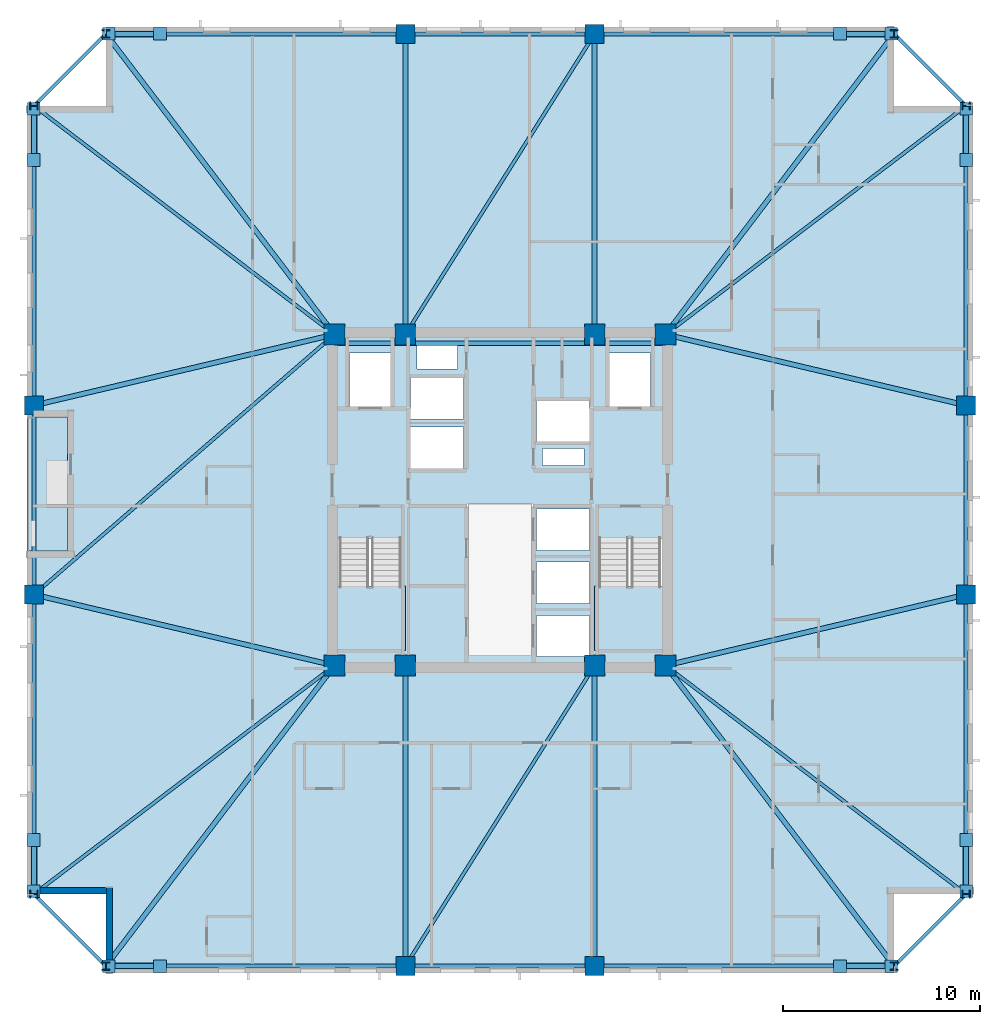
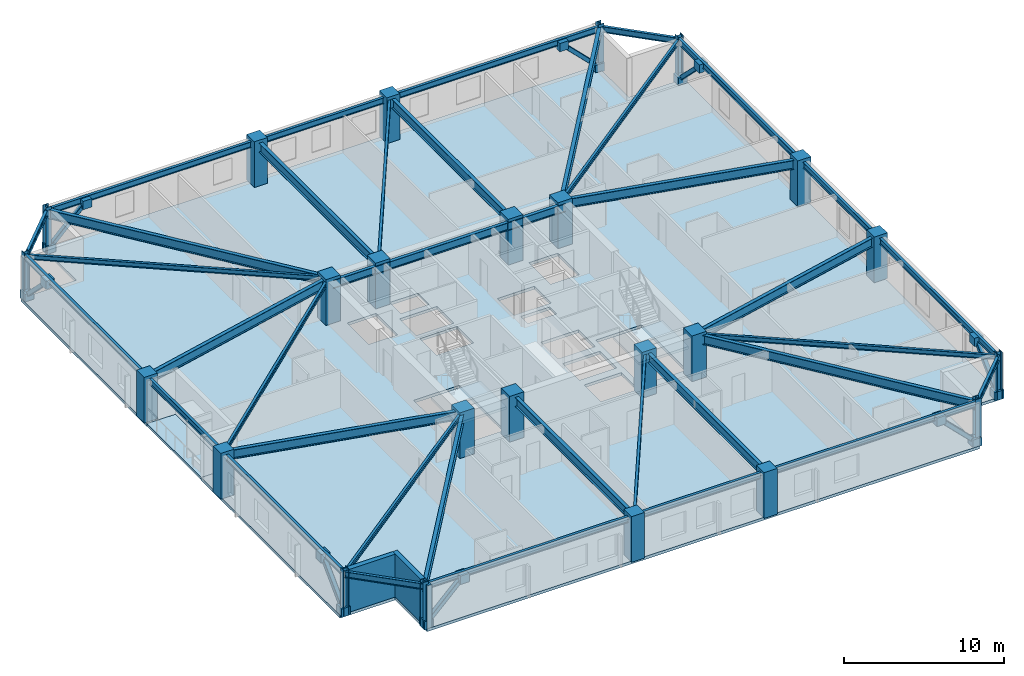
# One storey, part 1 of 11: 38 beams, 24 columns, 16 plates, 8 members, 4 slabs, 2 walls, 2 elements without a shape of their own.
"""IFC4 building model written with IfcOpenShell, lengths in metres."""

from ifc_helpers import new_model, si_unit, direction, frame, frame_2d, origin, origin_2d, place, context, subcontext, project, spatial, polyline, rectangle, hollow_rectangle, i_section, outline, extrude, material, layer, layer_set, material_profile, profile_set, type_object, element, aggregate, save


model = new_model("IFC4")

# Units and contexts
model_context = context("Model", 3, precision=1e-05, world=origin(), true_north=direction((0.0, 1.0)))
body_context = subcontext(model_context, "Body", "Model", "MODEL_VIEW")
ifc_project = project(units=[si_unit("LENGTHUNIT", "METRE"), si_unit("AREAUNIT", "SQUARE_METRE"), si_unit("VOLUMEUNIT", "CUBIC_METRE"), si_unit("PLANEANGLEUNIT", "RADIAN"), si_unit("MASSUNIT", "GRAM", prefix="KILO")], contexts=[model_context])

# Site, building, storey
site_placement = place(None, origin())
site = spatial("IfcSite", under=ifc_project, at=site_placement, CompositionType="ELEMENT")
building_placement = place(site_placement, origin())
building = spatial("IfcBuilding", under=site, at=building_placement, Name="Cairnveth Concourse Tower", CompositionType="ELEMENT")
storey_placement = place(building_placement, frame((0.0, 0.0, 127.0)))
storey = spatial("IfcBuildingStorey", under=building, at=storey_placement, Name="L34", CompositionType="ELEMENT", Elevation=127.0)

# Columns
ifc_material_1 = material(Name="Concrete N65 (65 MPa)", Category="concrete")
ifc_material_profile_1 = material_profile(ifc_material_1, rectangle(XDim=1.050048828125, YDim=1.050048828125, at=origin_2d()), Name="RC-COL-1050x1050")
ifc_profile_set_1 = profile_set([ifc_material_profile_1], Name="Concrete N65 (65 MPa)")
column_type_1 = type_object("IfcColumnType", Name="CORE COLUMN 1050X1050", PredefinedType="COLUMN", material=ifc_profile_set_1)
for number, where, z_axis, x_axis, name in (
    (1, (43.60009765625, 30.60009765625, 0.0), (0.0, 0.0, 1.0), (1.0, 0.0, 0.0), "Column CC1 L34"),
    (2, (47.199951171875, 30.60009765625, 0.0), (0.0, 0.0, 1.0), (1.0, 0.0, 0.0), "Column CC2 L34"),
    (3, (56.800048828125, 30.60009765625, 0.0), (0.0, 0.0, 1.0), (1.0, 0.0, 0.0), "Column CC3 L34"),
    (4, (60.39990234375, 30.60009765625, 0.0), (0.0, 0.0, 1.0), (1.0, 0.0, 0.0), "Column CC4 L34"),
    (5, (43.60009765625, 47.39990234375, 0.0), (0.0, 0.0, 1.0), (1.0, 0.0, 0.0), "Column CC5 L34"),
    (6, (47.199951171875, 47.39990234375, 0.0), (0.0, 0.0, 1.0), (1.0, 0.0, 0.0), "Column CC6 L34"),
    (7, (56.800048828125, 47.39990234375, 0.0), (0.0, 0.0, 1.0), (1.0, 0.0, 0.0), "Column CC7 L34"),
    (8, (60.39990234375, 47.39990234375, 0.0), (0.0, 0.0, 1.0), (1.0, 0.0, 0.0), "Column CC8 L34"),
):
    element("IfcColumn", number, at=place(storey_placement, frame(where, z_axis=z_axis, x_axis=x_axis)), inside=storey, type_object=column_type_1, Name=name, PredefinedType="COLUMN", context=body_context, shape_type="SweptSolid", body=[
        extrude(rectangle(XDim=1.050048828125, YDim=1.050048828125, at=origin_2d()), origin(), (0.0, 0.0, 1.0), 3.5),
    ])
ifc_material_profile_2 = material_profile(ifc_material_1, rectangle(XDim=0.949951171875, YDim=0.949951171875, at=origin_2d()), Name="RC-COL-950x950")
ifc_profile_set_2 = profile_set([ifc_material_profile_2], Name="Concrete N65 (65 MPa)")
column_type_2 = type_object("IfcColumnType", Name="PERIMETER PIER COLUMN 950X950", PredefinedType="COLUMN", material=ifc_profile_set_2)
for number, where, z_axis, x_axis, name in (
    (9, (47.199951171875, 15.35009765625, 0.0), (0.0, 0.0, 1.0), (1.0, 0.0, 0.0), "Column P-S2 L34"),
    (10, (56.800048828125, 15.35009765625, 0.0), (0.0, 0.0, 1.0), (1.0, 0.0, 0.0), "Column P-S3 L34"),
    (11, (75.64990234375, 34.199951171875, 0.0), (0.0, 0.0, 1.0), (0.0, 1.0, 0.0), "Column P-E2 L34"),
    (12, (75.64990234375, 43.800048828125, 0.0), (0.0, 0.0, 1.0), (0.0, 1.0, 0.0), "Column P-E3 L34"),
    (13, (56.800048828125, 62.64990234375, 0.0), (0.0, 0.0, 1.0), (1.0, 0.0, 0.0), "Column P-N2 L34"),
    (14, (47.199951171875, 62.64990234375, 0.0), (0.0, 0.0, 1.0), (1.0, 0.0, 0.0), "Column P-N3 L34"),
    (15, (28.35009765625, 43.800048828125, 0.0), (0.0, 0.0, 1.0), (0.0, 1.0, 0.0), "Column P-W2 L34"),
    (16, (28.35009765625, 34.199951171875, 0.0), (0.0, 0.0, 1.0), (0.0, 1.0, 0.0), "Column P-W3 L34"),
):
    element("IfcColumn", number, at=place(storey_placement, frame(where, z_axis=z_axis, x_axis=x_axis)), inside=storey, type_object=column_type_2, Name=name, PredefinedType="COLUMN", context=body_context, shape_type="SweptSolid", body=[
        extrude(rectangle(XDim=0.949951171875, YDim=0.949951171875, at=origin_2d()), origin(), (0.0, 0.0, 1.0), 3.5),
    ])
ifc_material_2 = material(Name="Steel Grade 350", Category="steel")
ifc_material_profile_3 = material_profile(ifc_material_2, i_section(OverallWidth=0.39990234375, OverallDepth=0.39990234375, WebThickness=0.02197265625, FlangeThickness=0.035888671875, at=origin_2d()), Name="400WC270")
ifc_profile_set_3 = profile_set([ifc_material_profile_3], Name="Steel Grade 350")
column_type_3 = type_object("IfcColumnType", Name="WELDED STEEL COLUMN 400WC270", PredefinedType="COLUMN", material=ifc_profile_set_3)
for number, where, z_axis, x_axis, name in (
    (17, (32.0, 15.35009765625, 0.0), (0.0, 0.0, 1.0), (1.0, 0.0, 0.0), "Column P-S1 L34"),
    (18, (72.0, 15.35009765625, 0.0), (0.0, 0.0, 1.0), (1.0, 0.0, 0.0), "Column P-S4 L34"),
    (19, (75.64990234375, 19.0, 0.0), (0.0, 0.0, 1.0), (0.0, 1.0, 0.0), "Column P-E1 L34"),
    (20, (75.64990234375, 59.0, 0.0), (0.0, 0.0, 1.0), (0.0, 1.0, 0.0), "Column P-E4 L34"),
    (21, (72.0, 62.64990234375, 0.0), (0.0, 0.0, 1.0), (1.0, 0.0, 0.0), "Column P-N1 L34"),
    (22, (32.0, 62.64990234375, 0.0), (0.0, 0.0, 1.0), (1.0, 0.0, 0.0), "Column P-N4 L34"),
    (23, (28.35009765625, 59.0, 0.0), (0.0, 0.0, 1.0), (0.0, 1.0, 0.0), "Column P-W1 L34"),
    (24, (28.35009765625, 19.0, 0.0), (0.0, 0.0, 1.0), (0.0, 1.0, 0.0), "Column P-W4 L34"),
):
    element("IfcColumn", number, at=place(storey_placement, frame(where, z_axis=z_axis, x_axis=x_axis)), inside=storey, type_object=column_type_3, Name=name, PredefinedType="COLUMN", context=body_context, shape_type="SweptSolid", body=[
        extrude(i_section(OverallWidth=0.39990234375, OverallDepth=0.39990234375, WebThickness=0.02197265625, FlangeThickness=0.035888671875, at=origin_2d()), origin(), (0.0, 0.0, 1.0), 3.5),
    ])

# Beams
ifc_material_profile_4 = material_profile(ifc_material_2, i_section(OverallWidth=0.22802734375, OverallDepth=0.60693359375, WebThickness=0.01123046875, FlangeThickness=0.017333984375, FilletRadius=0.013916015625, at=origin_2d()), Name="610UB113")
ifc_profile_set_4 = profile_set([ifc_material_profile_4], Name="Steel Grade 350")
beam_type_1 = type_object("IfcBeamType", Name="CORE TIE BEAM 610UB113", PredefinedType="T_BEAM", material=ifc_profile_set_4)
for number, where, z_axis, x_axis, name in (
    (25, (43.60009765625, 46.949951171875, 2.9765625), (1.0, 0.0, 0.0), (0.0, 1.0, 0.0), "Beam CT-N1 L34"),
    (26, (56.800048828125, 46.949951171875, 2.9765625), (1.0, 0.0, 0.0), (0.0, 1.0, 0.0), "Beam CT-N3 L34"),
):
    element("IfcBeam", number, at=place(storey_placement, frame(where, z_axis=z_axis, x_axis=x_axis)), inside=storey, type_object=beam_type_1, Name=name, PredefinedType="T_BEAM", context=body_context, shape_type="SweptSolid", body=[
        extrude(i_section(OverallWidth=0.22802734375, OverallDepth=0.60693359375, WebThickness=0.01123046875, FlangeThickness=0.017333984375, FilletRadius=0.013916015625, at=origin_2d()), origin(), (0.0, 0.0, 1.0), 3.599853515625),
    ])
beam_1_placement = place(storey_placement, frame((47.199951171875, 46.949951171875, 2.9765625), z_axis=(1.0, 0.0, 0.0), x_axis=(0.0, 1.0, 0.0)))
element("IfcBeam", 27, at=beam_1_placement, inside=storey, type_object=beam_type_1, Name="Beam CT-N2 L34", PredefinedType="T_BEAM", context=body_context, shape_type="SweptSolid", body=[
    extrude(i_section(OverallWidth=0.22802734375, OverallDepth=0.60693359375, WebThickness=0.01123046875, FlangeThickness=0.017333984375, FilletRadius=0.013916015625, at=origin_2d()), origin(), (0.0, 0.0, 1.0), 9.60009765625),
])
ifc_material_profile_5 = material_profile(ifc_material_2, i_section(OverallWidth=0.172119140625, OverallDepth=0.35888671875, WebThickness=0.008056640625, FlangeThickness=0.012939453125, FilletRadius=0.010986328125, at=origin_2d()), Name="360UB56.7")
ifc_profile_set_5 = profile_set([ifc_material_profile_5], Name="Steel Grade 350")
beam_type_2 = type_object("IfcBeamType", Name="ZONE 2 FLOOR JOIST 360UB56.7", PredefinedType="JOIST", material=ifc_profile_set_5)
for number, where, z_axis, x_axis, name in (
    (28, (28.35009765625, 19.0, 3.1005859375), (0.795908242904, 0.6054172684, 0.0), (-0.6054172684, 0.795908242904, 0.0), "Beam FJ-CSW2 L34"),
    (29, (75.64990234375, 19.0, 3.1005859375), (-0.795908242904, 0.6054172684, 0.0), (-0.6054172684, -0.795908242904, 0.0), "Beam FJ-CSE2 L34"),
    (30, (75.64990234375, 59.0, 3.1005859375), (-0.795908242904, -0.6054172684, 0.0), (0.6054172684, -0.795908242904, 0.0), "Beam FJ-CNE2 L34"),
    (31, (28.35009765625, 59.0, 3.1005859375), (0.795908242904, -0.6054172684, 0.0), (0.6054172684, 0.795908242904, 0.0), "Beam FJ-CNW2 L34"),
):
    element("IfcBeam", number, at=place(storey_placement, frame(where, z_axis=z_axis, x_axis=x_axis)), inside=storey, type_object=beam_type_2, Name=name, PredefinedType="JOIST", context=body_context, shape_type="SweptSolid", body=[
        extrude(i_section(OverallWidth=0.172119140625, OverallDepth=0.35888671875, WebThickness=0.008056640625, FlangeThickness=0.012939453125, FilletRadius=0.010986328125, at=origin_2d()), origin(), (0.0, 0.0, 1.0), 19.160400390625),
    ])
for number, where, z_axis, x_axis, name in (
    (32, (47.199951171875, 15.35009765625, 3.1005859375), (0.532743557037, 0.84627672923, 0.0), (-0.84627672923, 0.532743557037, 0.0), "Beam FJ-S-M1 L34"),
    (33, (47.199951171875, 47.39990234375, 3.1005859375), (0.532743557037, 0.84627672923, 0.0), (-0.84627672923, 0.532743557037, 0.0), "Beam FJ-N-M1 L34"),
):
    element("IfcBeam", number, at=place(storey_placement, frame(where, z_axis=z_axis, x_axis=x_axis)), inside=storey, type_object=beam_type_2, Name=name, PredefinedType="JOIST", context=body_context, shape_type="SweptSolid", body=[
        extrude(i_section(OverallWidth=0.172119140625, OverallDepth=0.35888671875, WebThickness=0.008056640625, FlangeThickness=0.012939453125, FilletRadius=0.010986328125, at=origin_2d()), origin(), (0.0, 0.0, 1.0), 18.02001953125),
    ])
beam_2_placement = place(storey_placement, frame((28.35009765625, 34.199951171875, 3.1005859375), z_axis=(0.756099107057, 0.654457134049, 0.0), x_axis=(-0.654457134049, 0.756099107057, 0.0)))
element("IfcBeam", 34, at=beam_2_placement, inside=storey, type_object=beam_type_2, Name="Beam FJ-W-M1 L34", PredefinedType="JOIST", context=body_context, shape_type="SweptSolid", body=[
    extrude(i_section(OverallWidth=0.172119140625, OverallDepth=0.35888671875, WebThickness=0.008056640625, FlangeThickness=0.012939453125, FilletRadius=0.010986328125, at=origin_2d()), origin(), (0.0, 0.0, 1.0), 20.16943359375),
])

# Members
ifc_material_3 = material(Name="Steel C350L0 (350 MPa)", Category="steel")
ifc_material_profile_6 = material_profile(ifc_material_3, hollow_rectangle(XDim=0.300048828125, YDim=0.300048828125, WallThickness=0.01611328125, InnerFilletRadius=0.01611328125, OuterFilletRadius=0.031982421875, at=origin_2d()), Name="300x300x16.0SHS")
ifc_profile_set_6 = profile_set([ifc_material_profile_6], Name="Steel C350L0 (350 MPa)")
member_type = type_object("IfcMemberType", Name="ZONE 2 PIER BRACE 300X300X16SHS", PredefinedType="BRACE", material=ifc_profile_set_6)
for number, where, z_axis, x_axis, name in (
    (35, (32.14990234375, 15.35009765625, 0.25), (0.709834195787, 0.0, 0.704368805735), (0.0, 1.0, 0.0), "Structural Brace PB-S1 L34"),
    (36, (71.85009765625, 15.35009765625, 0.25), (-0.709834195787, 0.0, 0.704368805735), (0.0, -1.0, 0.0), "Structural Brace PB-S2 L34"),
    (37, (32.14990234375, 62.64990234375, 0.25), (0.709834195787, 0.0, 0.704368805735), (0.0, 1.0, 0.0), "Structural Brace PB-N1 L34"),
    (38, (71.85009765625, 62.64990234375, 0.25), (-0.709834195787, 0.0, 0.704368805735), (0.0, -1.0, 0.0), "Structural Brace PB-N2 L34"),
    (39, (28.35009765625, 19.14990234375, 0.25), (0.0, 0.709834195787, 0.704368805735), (-1.0, 0.0, 0.0), "Structural Brace PB-W1 L34"),
    (40, (28.35009765625, 58.85009765625, 0.25), (0.0, -0.709834195787, 0.704368805735), (1.0, 0.0, 0.0), "Structural Brace PB-W2 L34"),
    (41, (75.64990234375, 19.14990234375, 0.25), (0.0, 0.709834195787, 0.704368805735), (-1.0, 0.0, 0.0), "Structural Brace PB-E1 L34"),
    (42, (75.64990234375, 58.85009765625, 0.25), (0.0, -0.709834195787, 0.704368805735), (1.0, 0.0, 0.0), "Structural Brace PB-E2 L34"),
):
    element("IfcMember", number, at=place(storey_placement, frame(where, z_axis=z_axis, x_axis=x_axis)), inside=storey, type_object=member_type, Name=name, PredefinedType="BRACE", context=body_context, shape_type="SweptSolid", body=[
        extrude(hollow_rectangle(XDim=0.300048828125, YDim=0.300048828125, WallThickness=0.01611328125, InnerFilletRadius=0.01611328125, OuterFilletRadius=0.031982421875, at=origin_2d()), origin(), (0.0, 0.0, 1.0), 3.6630859375),
    ])

# Beams
ifc_material_profile_7 = material_profile(ifc_material_2, i_section(OverallWidth=0.25, OverallDepth=0.699951171875, WebThickness=0.011962890625, FlangeThickness=0.028076171875, at=origin_2d()), Name="700WB173")
ifc_profile_set_7 = profile_set([ifc_material_profile_7], Name="Steel Grade 350")
beam_type_3 = type_object("IfcBeamType", Name="ZONE 2 RADIAL GIRDER 700WB173", PredefinedType="BEAM", material=ifc_profile_set_7)
for number, where, z_axis, x_axis, name in (
    (43, (47.199951171875, 15.35009765625, 2.929931640625), (0.0, 1.0, 0.0), (-1.0, 0.0, 0.0), "Beam RG-S1 L34"),
    (44, (56.800048828125, 15.35009765625, 2.929931640625), (0.0, 1.0, 0.0), (-1.0, 0.0, 0.0), "Beam RG-S2 L34"),
    (45, (47.199951171875, 47.39990234375, 2.929931640625), (0.0, 1.0, 0.0), (-1.0, 0.0, 0.0), "Beam RG-N1 L34"),
    (46, (56.800048828125, 47.39990234375, 2.929931640625), (0.0, 1.0, 0.0), (-1.0, 0.0, 0.0), "Beam RG-N2 L34"),
):
    element("IfcBeam", number, at=place(storey_placement, frame(where, z_axis=z_axis, x_axis=x_axis)), inside=storey, type_object=beam_type_3, Name=name, PredefinedType="BEAM", context=body_context, shape_type="SweptSolid", body=[
        extrude(i_section(OverallWidth=0.25, OverallDepth=0.699951171875, WebThickness=0.011962890625, FlangeThickness=0.028076171875, at=origin_2d()), origin(), (0.0, 0.0, 1.0), 15.25),
    ])
for number, where, z_axis, x_axis, name in (
    (47, (28.35009765625, 34.199951171875, 2.929931640625), (0.973251602929, -0.229741849468, 0.0), (0.229741849468, 0.973251602929, 0.0), "Beam RG-W1 L34"),
    (48, (28.35009765625, 43.800048828125, 2.929931640625), (0.973251602929, 0.229741849468, 0.0), (-0.229741849468, 0.973251602929, 0.0), "Beam RG-W2 L34"),
    (49, (60.39990234375, 30.60009765625, 2.929931640625), (0.973251602929, 0.229741849468, 0.0), (-0.229741849468, 0.973251602929, 0.0), "Beam RG-E1 L34"),
    (50, (60.39990234375, 47.39990234375, 2.929931640625), (0.973251602929, -0.229741849468, 0.0), (0.229741849468, 0.973251602929, 0.0), "Beam RG-E2 L34"),
):
    element("IfcBeam", number, at=place(storey_placement, frame(where, z_axis=z_axis, x_axis=x_axis)), inside=storey, type_object=beam_type_3, Name=name, PredefinedType="BEAM", context=body_context, shape_type="SweptSolid", body=[
        extrude(i_section(OverallWidth=0.25, OverallDepth=0.699951171875, WebThickness=0.011962890625, FlangeThickness=0.028076171875, at=origin_2d()), origin(), (0.0, 0.0, 1.0), 15.669189453125),
    ])
for number, where, z_axis, x_axis, name in (
    (51, (32.0, 15.35009765625, 2.929931640625), (0.6054172684, 0.795908242904, 0.0), (-0.795908242904, 0.6054172684, 0.0), "Beam RG-CSW L34"),
    (52, (72.0, 15.35009765625, 2.929931640625), (-0.6054172684, 0.795908242904, 0.0), (-0.795908242904, -0.6054172684, 0.0), "Beam RG-CSE L34"),
    (53, (72.0, 62.64990234375, 2.929931640625), (-0.6054172684, -0.795908242904, 0.0), (0.795908242904, -0.6054172684, 0.0), "Beam RG-CNE L34"),
    (54, (32.0, 62.64990234375, 2.929931640625), (0.6054172684, -0.795908242904, 0.0), (0.795908242904, 0.6054172684, 0.0), "Beam RG-CNW L34"),
):
    element("IfcBeam", number, at=place(storey_placement, frame(where, z_axis=z_axis, x_axis=x_axis)), inside=storey, type_object=beam_type_3, Name=name, PredefinedType="BEAM", context=body_context, shape_type="SweptSolid", body=[
        extrude(i_section(OverallWidth=0.25, OverallDepth=0.699951171875, WebThickness=0.011962890625, FlangeThickness=0.028076171875, at=origin_2d()), origin(), (0.0, 0.0, 1.0), 19.160400390625),
    ])
ifc_material_profile_8 = material_profile(ifc_material_2, i_section(OverallWidth=0.18994140625, OverallDepth=0.45703125, WebThickness=0.009033203125, FlangeThickness=0.014404296875, FilletRadius=0.010986328125, at=origin_2d()), Name="460UB74.6")
ifc_profile_set_8 = profile_set([ifc_material_profile_8], Name="Steel Grade 350")
beam_type_4 = type_object("IfcBeamType", Name="ZONE 2 SPANDREL BEAM 460UB74.6", PredefinedType="SPANDREL", material=ifc_profile_set_8)
beam_3_placement = place(storey_placement, frame((32.0, 15.35009765625, 3.051513671875), z_axis=(1.0, 0.0, 0.0), x_axis=(0.0, 1.0, 0.0)))
element("IfcBeam", 55, at=beam_3_placement, inside=storey, type_object=beam_type_4, Name="Beam SP-S1 L34", PredefinedType="SPANDREL", context=body_context, shape_type="SweptSolid", body=[
    extrude(i_section(OverallWidth=0.18994140625, OverallDepth=0.45703125, WebThickness=0.009033203125, FlangeThickness=0.014404296875, FilletRadius=0.010986328125, at=origin_2d()), origin(), (0.0, 0.0, 1.0), 15.199951171875),
])
beam_4_placement = place(storey_placement, frame((47.199951171875, 15.35009765625, 3.051513671875), z_axis=(1.0, 0.0, 0.0), x_axis=(0.0, 1.0, 0.0)))
element("IfcBeam", 56, at=beam_4_placement, inside=storey, type_object=beam_type_4, Name="Beam SP-S2 L34", PredefinedType="SPANDREL", context=body_context, shape_type="SweptSolid", body=[
    extrude(i_section(OverallWidth=0.18994140625, OverallDepth=0.45703125, WebThickness=0.009033203125, FlangeThickness=0.014404296875, FilletRadius=0.010986328125, at=origin_2d()), origin(), (0.0, 0.0, 1.0), 9.60009765625),
])
for number, where, z_axis, x_axis, name in (
    (57, (56.800048828125, 15.35009765625, 3.051513671875), (1.0, 0.0, 0.0), (0.0, 1.0, 0.0), "Beam SP-S3 L34"),
    (58, (32.0, 62.64990234375, 3.051513671875), (1.0, 0.0, 0.0), (0.0, 1.0, 0.0), "Beam SP-N1 L34"),
):
    element("IfcBeam", number, at=place(storey_placement, frame(where, z_axis=z_axis, x_axis=x_axis)), inside=storey, type_object=beam_type_4, Name=name, PredefinedType="SPANDREL", context=body_context, shape_type="SweptSolid", body=[
        extrude(i_section(OverallWidth=0.18994140625, OverallDepth=0.45703125, WebThickness=0.009033203125, FlangeThickness=0.014404296875, FilletRadius=0.010986328125, at=origin_2d()), origin(), (0.0, 0.0, 1.0), 15.199951171875),
    ])
beam_5_placement = place(storey_placement, frame((47.199951171875, 62.64990234375, 3.051513671875), z_axis=(1.0, 0.0, 0.0), x_axis=(0.0, 1.0, 0.0)))
element("IfcBeam", 59, at=beam_5_placement, inside=storey, type_object=beam_type_4, Name="Beam SP-N2 L34", PredefinedType="SPANDREL", context=body_context, shape_type="SweptSolid", body=[
    extrude(i_section(OverallWidth=0.18994140625, OverallDepth=0.45703125, WebThickness=0.009033203125, FlangeThickness=0.014404296875, FilletRadius=0.010986328125, at=origin_2d()), origin(), (0.0, 0.0, 1.0), 9.60009765625),
])
for number, where, z_axis, x_axis, name in (
    (60, (56.800048828125, 62.64990234375, 3.051513671875), (1.0, 0.0, 0.0), (0.0, 1.0, 0.0), "Beam SP-N3 L34"),
    (61, (28.35009765625, 19.0, 3.051513671875), (0.0, 1.0, 0.0), (-1.0, 0.0, 0.0), "Beam SP-W1 L34"),
):
    element("IfcBeam", number, at=place(storey_placement, frame(where, z_axis=z_axis, x_axis=x_axis)), inside=storey, type_object=beam_type_4, Name=name, PredefinedType="SPANDREL", context=body_context, shape_type="SweptSolid", body=[
        extrude(i_section(OverallWidth=0.18994140625, OverallDepth=0.45703125, WebThickness=0.009033203125, FlangeThickness=0.014404296875, FilletRadius=0.010986328125, at=origin_2d()), origin(), (0.0, 0.0, 1.0), 15.199951171875),
    ])
beam_6_placement = place(storey_placement, frame((28.35009765625, 34.199951171875, 3.051513671875), z_axis=(0.0, 1.0, 0.0), x_axis=(-1.0, 0.0, 0.0)))
element("IfcBeam", 62, at=beam_6_placement, inside=storey, type_object=beam_type_4, Name="Beam SP-W2 L34", PredefinedType="SPANDREL", context=body_context, shape_type="SweptSolid", body=[
    extrude(i_section(OverallWidth=0.18994140625, OverallDepth=0.45703125, WebThickness=0.009033203125, FlangeThickness=0.014404296875, FilletRadius=0.010986328125, at=origin_2d()), origin(), (0.0, 0.0, 1.0), 9.60009765625),
])
for number, where, z_axis, x_axis, name in (
    (63, (28.35009765625, 43.800048828125, 3.051513671875), (0.0, 1.0, 0.0), (-1.0, 0.0, 0.0), "Beam SP-W3 L34"),
    (64, (75.64990234375, 19.0, 3.051513671875), (0.0, 1.0, 0.0), (-1.0, 0.0, 0.0), "Beam SP-E1 L34"),
):
    element("IfcBeam", number, at=place(storey_placement, frame(where, z_axis=z_axis, x_axis=x_axis)), inside=storey, type_object=beam_type_4, Name=name, PredefinedType="SPANDREL", context=body_context, shape_type="SweptSolid", body=[
        extrude(i_section(OverallWidth=0.18994140625, OverallDepth=0.45703125, WebThickness=0.009033203125, FlangeThickness=0.014404296875, FilletRadius=0.010986328125, at=origin_2d()), origin(), (0.0, 0.0, 1.0), 15.199951171875),
    ])
beam_7_placement = place(storey_placement, frame((75.64990234375, 34.199951171875, 3.051513671875), z_axis=(0.0, 1.0, 0.0), x_axis=(-1.0, 0.0, 0.0)))
element("IfcBeam", 65, at=beam_7_placement, inside=storey, type_object=beam_type_4, Name="Beam SP-E2 L34", PredefinedType="SPANDREL", context=body_context, shape_type="SweptSolid", body=[
    extrude(i_section(OverallWidth=0.18994140625, OverallDepth=0.45703125, WebThickness=0.009033203125, FlangeThickness=0.014404296875, FilletRadius=0.010986328125, at=origin_2d()), origin(), (0.0, 0.0, 1.0), 9.60009765625),
])
beam_8_placement = place(storey_placement, frame((75.64990234375, 43.800048828125, 3.051513671875), z_axis=(0.0, 1.0, 0.0), x_axis=(-1.0, 0.0, 0.0)))
element("IfcBeam", 66, at=beam_8_placement, inside=storey, type_object=beam_type_4, Name="Beam SP-E3 L34", PredefinedType="SPANDREL", context=body_context, shape_type="SweptSolid", body=[
    extrude(i_section(OverallWidth=0.18994140625, OverallDepth=0.45703125, WebThickness=0.009033203125, FlangeThickness=0.014404296875, FilletRadius=0.010986328125, at=origin_2d()), origin(), (0.0, 0.0, 1.0), 15.199951171875),
])
for number, where, z_axis, x_axis, name in (
    (67, (28.35009765625, 19.0, 3.051513671875), (0.707106781187, -0.707106781187, 0.0), (0.707106781187, 0.707106781187, 0.0), "Beam SP-SW L34"),
    (68, (72.0, 15.35009765625, 3.051513671875), (0.707106781187, 0.707106781187, 0.0), (-0.707106781187, 0.707106781187, 0.0), "Beam SP-SE L34"),
    (69, (72.0, 62.64990234375, 3.051513671875), (0.707106781187, -0.707106781187, 0.0), (0.707106781187, 0.707106781187, 0.0), "Beam SP-NE L34"),
    (70, (28.35009765625, 59.0, 3.051513671875), (0.707106781187, 0.707106781187, 0.0), (-0.707106781187, 0.707106781187, 0.0), "Beam SP-NW L34"),
):
    element("IfcBeam", number, at=place(storey_placement, frame(where, z_axis=z_axis, x_axis=x_axis)), inside=storey, type_object=beam_type_4, Name=name, PredefinedType="SPANDREL", context=body_context, shape_type="SweptSolid", body=[
        extrude(i_section(OverallWidth=0.18994140625, OverallDepth=0.45703125, WebThickness=0.009033203125, FlangeThickness=0.014404296875, FilletRadius=0.010986328125, at=origin_2d()), origin(), (0.0, 0.0, 1.0), 5.16162109375),
    ])

# Slab
ifc_material_4 = material(Name="Concrete N50 (50 MPa)", Category="concrete")
ifc_layer_1 = layer(ifc_material_4, 0.219970703125)
ifc_layer_set_1 = layer_set([ifc_layer_1], Name="Concrete N50 (50 MPa)")
slab_type_1 = type_object("IfcSlabType", Name="LOWER TOWER COMPOSITE SLAB 220", PredefinedType="FLOOR", material=ifc_layer_set_1)
slab_1_placement = place(storey_placement, frame((0.0, 0.0, -0.219970703125)))
element("IfcSlab", 71, at=slab_1_placement, inside=storey, type_object=slab_type_1, Name="Tower Floor Slab L34", PredefinedType="FLOOR", context=body_context, shape_type="SweptSolid", body=[
    extrude(outline(polyline([(28.0, 43.199951171875), (30.050048828125, 43.199951171875), (30.050048828125, 36.39990234375), (28.0, 36.39990234375), (28.0, 19.0), (32.0, 19.0), (32.0, 15.0), (72.0, 15.0), (72.0, 19.0), (76.0, 19.0), (76.0, 59.0), (72.0, 59.0), (72.0, 63.0), (32.0, 63.0), (32.0, 59.0), (28.0, 59.0), (28.0, 43.199951171875)]), holes=[polyline([(43.760009765625, 31.360107421875), (47.06005859375, 31.360107421875), (47.06005859375, 37.0400390625), (43.760009765625, 37.0400390625), (43.760009765625, 31.360107421875)]), polyline([(56.93994140625, 31.360107421875), (60.239990234375, 31.360107421875), (60.239990234375, 37.0400390625), (56.93994140625, 37.0400390625), (56.93994140625, 31.360107421875)]), polyline([(44.3701171875, 43.75), (46.469970703125, 43.75), (46.469970703125, 46.449951171875), (44.3701171875, 46.449951171875), (44.3701171875, 43.75)]), polyline([(57.530029296875, 43.75), (59.6298828125, 43.75), (59.6298828125, 46.449951171875), (57.530029296875, 46.449951171875), (57.530029296875, 43.75)]), polyline([(53.85009765625, 31.050048828125), (56.550048828125, 31.050048828125), (56.550048828125, 33.14990234375), (53.85009765625, 33.14990234375), (53.85009765625, 31.050048828125)]), polyline([(53.85009765625, 33.75), (56.550048828125, 33.75), (56.550048828125, 35.85009765625), (53.85009765625, 35.85009765625), (53.85009765625, 33.75)]), polyline([(53.85009765625, 36.449951171875), (56.550048828125, 36.449951171875), (56.550048828125, 38.550048828125), (53.85009765625, 38.550048828125), (53.85009765625, 36.449951171875)]), polyline([(47.449951171875, 40.60009765625), (50.14990234375, 40.60009765625), (50.14990234375, 42.699951171875), (47.449951171875, 42.699951171875), (47.449951171875, 40.60009765625)]), polyline([(47.449951171875, 43.10009765625), (50.14990234375, 43.10009765625), (50.14990234375, 45.199951171875), (47.449951171875, 45.199951171875), (47.449951171875, 43.10009765625)]), polyline([(53.85009765625, 41.949951171875), (56.550048828125, 41.949951171875), (56.550048828125, 44.050048828125), (53.85009765625, 44.050048828125), (53.85009765625, 41.949951171875)]), polyline([(47.800048828125, 45.64990234375), (49.85009765625, 45.64990234375), (49.85009765625, 47.050048828125), (47.800048828125, 47.050048828125), (47.800048828125, 45.64990234375)]), polyline([(54.14990234375, 40.75), (56.25, 40.75), (56.25, 41.6201171875), (54.14990234375, 41.6201171875), (54.14990234375, 40.75)])]), origin(), (0.0, 0.0, 1.0), 0.219970703125),
])

# Plates
ifc_layer_2 = layer(ifc_material_2, 0.031982421875)
ifc_layer_set_2 = layer_set([ifc_layer_2], Name="Steel Grade 350")
plate_type = type_object("IfcPlateType", Name="PERIMETER BRACE GUSSET PLATE 32", PredefinedType="USERDEFINED", material=ifc_layer_set_2)
for number, where, z_axis, x_axis, name in (
    (72, (32.14990234375, 15.35009765625, -0.06982421875), (0.0, 0.0, 1.0), (1.0, 0.0, 0.0), "Structural Node Plate 0577 L34"),
    (73, (34.75, 15.35009765625, 2.51025390625), (0.0, 0.0, 1.0), (1.0, 0.0, 0.0), "Structural Node Plate 0578 L34"),
    (74, (71.85009765625, 15.35009765625, -0.06982421875), (0.0, 0.0, 1.0), (1.0, 0.0, 0.0), "Structural Node Plate 0579 L34"),
    (75, (69.25, 15.35009765625, 2.51025390625), (0.0, 0.0, 1.0), (1.0, 0.0, 0.0), "Structural Node Plate 0580 L34"),
    (76, (32.14990234375, 62.64990234375, -0.06982421875), (0.0, 0.0, 1.0), (1.0, 0.0, 0.0), "Structural Node Plate 0581 L34"),
    (77, (34.75, 62.64990234375, 2.51025390625), (0.0, 0.0, 1.0), (1.0, 0.0, 0.0), "Structural Node Plate 0582 L34"),
    (78, (71.85009765625, 62.64990234375, -0.06982421875), (0.0, 0.0, 1.0), (1.0, 0.0, 0.0), "Structural Node Plate 0583 L34"),
    (79, (69.25, 62.64990234375, 2.51025390625), (0.0, 0.0, 1.0), (1.0, 0.0, 0.0), "Structural Node Plate 0584 L34"),
    (80, (28.35009765625, 19.14990234375, -0.06982421875), (0.0, 0.0, 1.0), (1.0, 0.0, 0.0), "Structural Node Plate 0585 L34"),
    (81, (28.35009765625, 21.75, 2.51025390625), (0.0, 0.0, 1.0), (1.0, 0.0, 0.0), "Structural Node Plate 0586 L34"),
    (82, (28.35009765625, 58.85009765625, -0.06982421875), (0.0, 0.0, 1.0), (1.0, 0.0, 0.0), "Structural Node Plate 0587 L34"),
    (83, (28.35009765625, 56.25, 2.51025390625), (0.0, 0.0, 1.0), (1.0, 0.0, 0.0), "Structural Node Plate 0588 L34"),
    (84, (75.64990234375, 19.14990234375, -0.06982421875), (0.0, 0.0, 1.0), (1.0, 0.0, 0.0), "Structural Node Plate 0589 L34"),
    (85, (75.64990234375, 21.75, 2.51025390625), (0.0, 0.0, 1.0), (1.0, 0.0, 0.0), "Structural Node Plate 0590 L34"),
    (86, (75.64990234375, 58.85009765625, -0.06982421875), (0.0, 0.0, 1.0), (1.0, 0.0, 0.0), "Structural Node Plate 0591 L34"),
    (87, (75.64990234375, 56.25, 2.51025390625), (0.0, 0.0, 1.0), (1.0, 0.0, 0.0), "Structural Node Plate 0592 L34"),
):
    element("IfcPlate", number, at=place(storey_placement, frame(where, z_axis=z_axis, x_axis=x_axis)), inside=storey, type_object=plate_type, Name=name, ObjectType="GUSSET PLATE", PredefinedType="USERDEFINED", context=body_context, shape_type="SweptSolid", body=[
        extrude(rectangle(XDim=0.639892578125, YDim=0.639892578125, at=origin_2d()), origin(), (0.0, 0.0, 1.0), 0.639892578125),
    ])

# Slab
ifc_layer_3 = layer(ifc_material_4, 0.18994140625)
ifc_layer_set_3 = layer_set([ifc_layer_3], Name="Concrete N50 (50 MPa)")
slab_type_2 = type_object("IfcSlabType", Name="SPIRAL OUTDOOR TERRACE SLAB 190", PredefinedType="FLOOR", material=ifc_layer_set_3)
slab_2_placement = place(storey_placement, frame((0.0, 0.0, -0.18994140625)))
element("IfcSlab", 88, at=slab_2_placement, inside=storey, type_object=slab_type_2, Name="Spiral Terrace Slab L34", PredefinedType="FLOOR", context=body_context, shape_type="SweptSolid", body=[
    extrude(outline(polyline([(28.0, 36.39990234375), (30.050048828125, 36.39990234375), (30.050048828125, 43.199951171875), (28.0, 43.199951171875), (28.0, 36.39990234375)])), origin(), (0.0, 0.0, 1.0), 0.18994140625),
])

# Stair, slab
ifc_material_5 = material(Name="Precast concrete N50 (50 MPa)", Category="concrete")
stair_type = type_object("IfcStairType", Name="CORE DOG-LEG FIRE STAIR 1500", PredefinedType="HALF_TURN_STAIR", material=ifc_material_5)
stair_1_placement = place(storey_placement, origin())
stair_1 = element("IfcStair", 89, at=stair_1_placement, inside=storey, type_object=stair_type, Name="L34 Fire-Isolated Stair ST-1", PredefinedType="HALF_TURN_STAIR")
ifc_layer_4 = layer(ifc_material_4, 0.199951171875)
ifc_layer_set_4 = layer_set([ifc_layer_4], Name="Concrete N50 (50 MPa)")
slab_type_3 = type_object("IfcSlabType", Name="STAIR HALF LANDING SLAB 200", PredefinedType="LANDING", material=ifc_layer_set_4)
slab_3_placement = place(storey_placement, frame((0.0, 0.0, 1.550048828125)))
slab_3 = element("IfcSlab", 90, at=slab_3_placement, type_object=slab_type_3, Name="ST-1 landing 1", PredefinedType="LANDING", context=body_context, shape_type="SweptSolid", body=[
    extrude(outline(polyline([(43.6201171875, 34.639892578125), (43.6201171875, 31.3701171875), (47.199951171875, 31.3701171875), (47.199951171875, 34.639892578125), (43.6201171875, 34.639892578125)])), origin(), (0.0, 0.0, 1.0), 0.199951171875),
])
aggregate(stair_1, [slab_3])

stair_2_placement = place(storey_placement, origin())
stair_2 = element("IfcStair", 91, at=stair_2_placement, inside=storey, type_object=stair_type, Name="L34 Fire-Isolated Stair ST-2", PredefinedType="HALF_TURN_STAIR")
slab_4_placement = place(storey_placement, frame((0.0, 0.0, 1.550048828125)))
slab_4 = element("IfcSlab", 92, at=slab_4_placement, type_object=slab_type_3, Name="ST-2 landing 1", PredefinedType="LANDING", context=body_context, shape_type="SweptSolid", body=[
    extrude(outline(polyline([(56.800048828125, 34.639892578125), (56.800048828125, 31.3701171875), (60.3798828125, 31.3701171875), (60.3798828125, 34.639892578125), (56.800048828125, 34.639892578125)])), origin(), (0.0, 0.0, 1.0), 0.199951171875),
])
aggregate(stair_2, [slab_4])

# Walls
ifc_material_6 = material(Name="Hawthorn Red-Ochre Fired Clay Brick Masonry", Category="masonry")
ifc_layer_5 = layer(ifc_material_6, 0.340087890625)
ifc_layer_set_5 = layer_set([ifc_layer_5], Name="Hawthorn Red-Ochre Fired Clay Brick Masonry")
wall_type = type_object("IfcWallType", Name="ZONE 2 BRICK PIER SPANDREL WALL 340", PredefinedType="SOLIDWALL", material=ifc_layer_set_5)
wall_1_placement = place(storey_placement, frame((32.169921875, 15.0, 0.0), z_axis=(0.0, 0.0, 1.0), x_axis=(0.0, 1.0, 0.0)))
element("IfcWall", 93, at=wall_1_placement, inside=storey, type_object=wall_type, Name="Exterior Wall EW-L34-S10", PredefinedType="SOLIDWALL", context=body_context, shape_type="SweptSolid", body=[
    extrude(rectangle(XDim=4.340087890625, YDim=0.340087890625, at=frame_2d((2.169921875, 0.0))), origin(), (0.0, 0.0, 1.0), 3.280029296875),
])
wall_2_placement = place(storey_placement, frame((32.02197265625, 19.169921875, 0.0), z_axis=(0.0, 0.0, 1.0), x_axis=(-1.0, 0.0, 0.0)))
element("IfcWall", 94, at=wall_2_placement, inside=storey, type_object=wall_type, Name="Exterior Wall EW-L34-S11", PredefinedType="SOLIDWALL", context=body_context, shape_type="SweptSolid", body=[
    extrude(rectangle(XDim=3.703857421875, YDim=0.340087890625, at=frame_2d((1.85205078125, 0.0))), origin(), (0.0, 0.0, 1.0), 3.280029296875),
])

save(model, "model.ifc")
